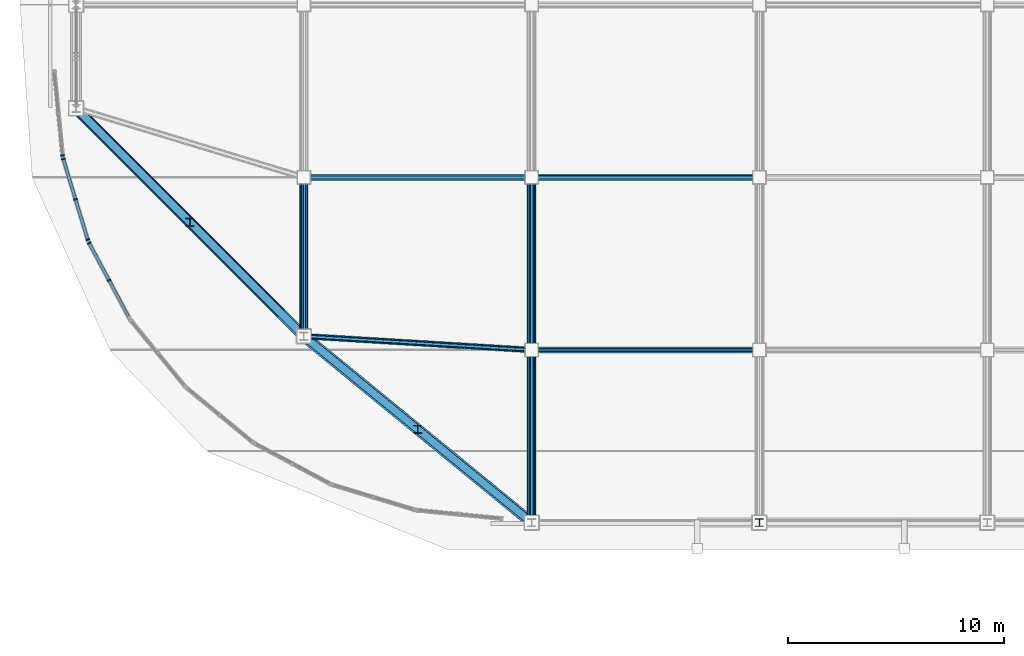
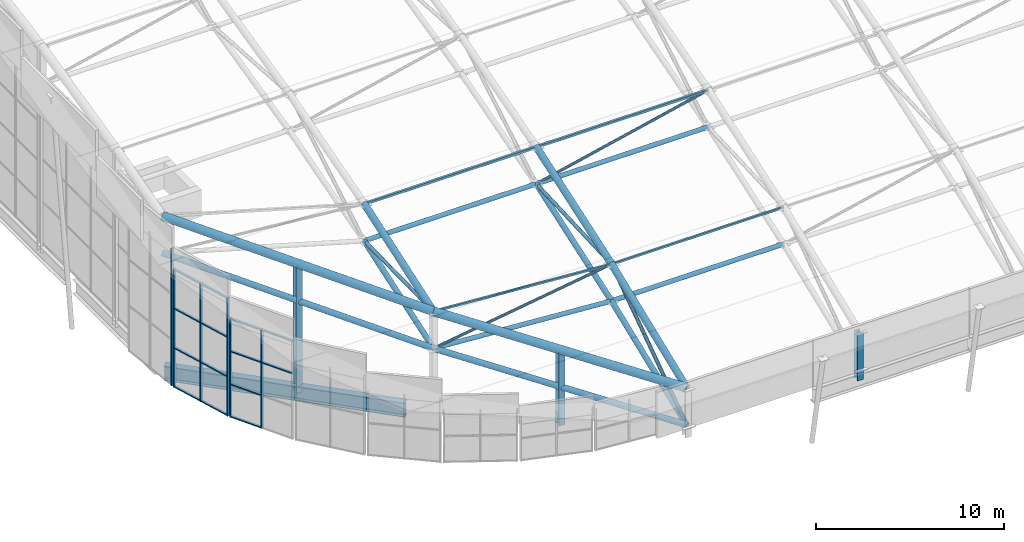
# One storey, part 2 of 42: 46 members, 1 beam, 3 elements without a shape of their own.
"""IFC4 building model written with IfcOpenShell, lengths in metres."""

from ifc_helpers import new_model, si_unit, direction, frame, origin, origin_2d, place, context, subcontext, project, spatial, rectangle, hollow_rectangle, hollow_circle, i_section, extrude, material, layer, layer_set, material_profile, profile_set, type_object, element, aggregate, save


model = new_model("IFC4")

# Units and contexts
model_context = context("Model", 3, precision=1e-05, world=origin(), true_north=direction((0.0, 1.0)))
body_context = subcontext(model_context, "Body", "Model", "MODEL_VIEW")
ifc_project = project(units=[si_unit("LENGTHUNIT", "METRE"), si_unit("AREAUNIT", "SQUARE_METRE"), si_unit("VOLUMEUNIT", "CUBIC_METRE"), si_unit("PLANEANGLEUNIT", "RADIAN"), si_unit("MASSUNIT", "GRAM", prefix="KILO")], contexts=[model_context])

# Site, building, storey
site_placement = place(None, origin())
site = spatial("IfcSite", under=ifc_project, at=site_placement, CompositionType="ELEMENT")
building_placement = place(site_placement, origin())
building = spatial("IfcBuilding", under=site, at=building_placement, Name="Caelomonte Colonnade Arena", CompositionType="ELEMENT")
storey_placement = place(building_placement, frame((0.0, 0.0, 28.199951171875)))
storey = spatial("IfcBuildingStorey", under=building, at=storey_placement, Name="RF", CompositionType="ELEMENT", Elevation=28.199951171875)

# Curtain wall, member
ifc_material_1 = material(Name="Bronze anodised aluminium and low-E glazing", Category="aluminium")
ifc_layer_1 = layer(ifc_material_1, 0.179931640625)
ifc_layer_set_1 = layer_set([ifc_layer_1], Name="Bronze anodised aluminium and low-E glazing")
curtain_wall_type_1 = type_object("IfcCurtainWallType", Name="ENV-CW-CW-TYMPC-01-89", PredefinedType="USERDEFINED", material=ifc_layer_set_1)
curtain_wall_1_placement = place(storey_placement, origin())
curtain_wall_1 = element("IfcCurtainWall", 1, at=curtain_wall_1_placement, inside=storey, type_object=curtain_wall_type_1, Name="Barrel arch rounded corner clerestory curtain wall 25", ObjectType="UNITIZED CURTAIN WALL", PredefinedType="USERDEFINED")
ifc_material_2 = material(Name="Bronze anodised aluminium AA6063-T6", Category="aluminium")
ifc_material_profile_1 = material_profile(ifc_material_2, rectangle(XDim=0.070068359375, YDim=0.179931640625, at=origin_2d()), Name="CWM-70X180")
ifc_profile_set_1 = profile_set([ifc_material_profile_1], Name="Bronze anodised aluminium AA6063-T6")
member_type_1 = type_object("IfcMemberType", Name="ENV-CW-MULL1", PredefinedType="MULLION", material=ifc_profile_set_1)
member_1_placement = place(storey_placement, frame((56.9716796875, 36.222900390625, -0.14990234375), z_axis=(0.0, 0.0, 1.0), x_axis=(0.098031417843, -0.995183320356, 0.0)))
member_1 = element("IfcMember", 2, at=member_1_placement, type_object=member_type_1, Name="CW-TYMPC-01-89 mullion 3", PredefinedType="MULLION", context=body_context, shape_type="SweptSolid", body=[
    extrude(rectangle(XDim=0.070068359375, YDim=0.179931640625, at=origin_2d()), origin(), (0.0, 0.0, 1.0), 8.93017578125),
])
aggregate(curtain_wall_1, [member_1])

# Curtain wall, members
ifc_layer_2 = layer(ifc_material_1, 0.179931640625)
ifc_layer_set_2 = layer_set([ifc_layer_2], Name="Bronze anodised aluminium and low-E glazing")
curtain_wall_type_2 = type_object("IfcCurtainWallType", Name="ENV-CW-CW-TYMPC-02-77", PredefinedType="USERDEFINED", material=ifc_layer_set_2)
curtain_wall_2_placement = place(storey_placement, origin())
curtain_wall_2 = element("IfcCurtainWall", 3, at=curtain_wall_2_placement, inside=storey, type_object=curtain_wall_type_2, Name="Barrel arch rounded corner clerestory curtain wall 26", ObjectType="UNITIZED CURTAIN WALL", PredefinedType="USERDEFINED")
member_2_placement = place(storey_placement, frame((57.004638671875, 36.056884765625, -0.14990234375), z_axis=(0.0, 0.0, 1.0), x_axis=(0.290266004632, -0.956945999811, 0.0)))
member_2 = element("IfcMember", 4, at=member_2_placement, type_object=member_type_1, Name="CW-TYMPC-02-77 mullion 1", PredefinedType="MULLION", context=body_context, shape_type="SweptSolid", body=[
    extrude(rectangle(XDim=0.070068359375, YDim=0.179931640625, at=origin_2d()), origin(), (0.0, 0.0, 1.0), 7.666259765625),
])
member_3_placement = place(storey_placement, frame((57.572509765625, 34.185302734375, -0.14990234375), z_axis=(0.0, 0.0, 1.0), x_axis=(0.290266004632, -0.956945999811, 0.0)))
member_3 = element("IfcMember", 5, at=member_3_placement, type_object=member_type_1, Name="CW-TYMPC-02-77 mullion 2", PredefinedType="MULLION", context=body_context, shape_type="SweptSolid", body=[
    extrude(rectangle(XDim=0.070068359375, YDim=0.179931640625, at=origin_2d()), origin(), (0.0, 0.0, 1.0), 7.666259765625),
])
member_4_placement = place(storey_placement, frame((58.14013671875, 32.313720703125, -0.14990234375), z_axis=(0.0, 0.0, 1.0), x_axis=(0.290266004632, -0.956945999811, 0.0)))
member_4 = element("IfcMember", 6, at=member_4_placement, type_object=member_type_1, Name="CW-TYMPC-02-77 mullion 3", PredefinedType="MULLION", context=body_context, shape_type="SweptSolid", body=[
    extrude(rectangle(XDim=0.070068359375, YDim=0.179931640625, at=origin_2d()), origin(), (0.0, 0.0, 1.0), 7.666259765625),
])

ifc_layer_3 = layer(ifc_material_1, 0.179931640625)
ifc_layer_set_3 = layer_set([ifc_layer_3], Name="Bronze anodised aluminium and low-E glazing")
curtain_wall_type_3 = type_object("IfcCurtainWallType", Name="ENV-CW-CW-TYMPC-03-64", PredefinedType="USERDEFINED", material=ifc_layer_set_3)
curtain_wall_3_placement = place(storey_placement, origin())
curtain_wall_3 = element("IfcCurtainWall", 7, at=curtain_wall_3_placement, inside=storey, type_object=curtain_wall_type_3, Name="Barrel arch rounded corner clerestory curtain wall 27", ObjectType="UNITIZED CURTAIN WALL", PredefinedType="USERDEFINED")
member_5_placement = place(storey_placement, frame((58.204833984375, 32.157470703125, -0.14990234375), z_axis=(0.0, 0.0, 1.0), x_axis=(0.471391087795, -0.881924283795, 0.0)))
member_5 = element("IfcMember", 8, at=member_5_placement, type_object=member_type_1, Name="CW-TYMPC-03-64 mullion 1", PredefinedType="MULLION", context=body_context, shape_type="SweptSolid", body=[
    extrude(rectangle(XDim=0.070068359375, YDim=0.179931640625, at=origin_2d()), origin(), (0.0, 0.0, 1.0), 6.40966796875),
])
member_6_placement = place(storey_placement, frame((59.126708984375, 30.432861328125, -0.14990234375), z_axis=(0.0, 0.0, 1.0), x_axis=(0.471391087795, -0.881924283795, 0.0)))
member_6 = element("IfcMember", 9, at=member_6_placement, type_object=member_type_1, Name="CW-TYMPC-03-64 mullion 2", PredefinedType="MULLION", context=body_context, shape_type="SweptSolid", body=[
    extrude(rectangle(XDim=0.070068359375, YDim=0.179931640625, at=origin_2d()), origin(), (0.0, 0.0, 1.0), 6.40966796875),
])

# Member
ifc_material_profile_2 = material_profile(ifc_material_2, rectangle(XDim=0.070068359375, YDim=0.139892578125, at=origin_2d()), Name="CWT-70X140")
ifc_profile_set_2 = profile_set([ifc_material_profile_2], Name="Bronze anodised aluminium AA6063-T6")
member_type_2 = type_object("IfcMemberType", Name="ENV-CW-TRAN1", PredefinedType="USERDEFINED", material=ifc_profile_set_2)
member_7_placement = place(storey_placement, frame((57.014892578125, 36.0234375, -0.114990234375), z_axis=(0.29024452618, -0.956952514508, 0.0), x_axis=(0.0, 0.0, 1.0)))
member_7 = element("IfcMember", 10, at=member_7_placement, type_object=member_type_2, Name="CW-TYMPC-02-77 transom 1.1", ObjectType="TRANSOM", PredefinedType="USERDEFINED", context=body_context, shape_type="SweptSolid", body=[
    extrude(rectangle(XDim=0.070068359375, YDim=0.139892578125, at=origin_2d()), origin(), (0.0, 0.0, 1.0), 1.885986328125),
])

member_8_placement = place(storey_placement, frame((57.014892578125, 36.0234375, 2.405517578125), z_axis=(0.29024452618, -0.956952514508, 0.0), x_axis=(0.0, 0.0, 1.0)))
member_8 = element("IfcMember", 11, at=member_8_placement, type_object=member_type_2, Name="CW-TYMPC-02-77 transom 1.2", ObjectType="TRANSOM", PredefinedType="USERDEFINED", context=body_context, shape_type="SweptSolid", body=[
    extrude(rectangle(XDim=0.070068359375, YDim=0.139892578125, at=origin_2d()), origin(), (0.0, 0.0, 1.0), 1.885986328125),
])

member_9_placement = place(storey_placement, frame((57.014892578125, 36.0234375, 4.9609375), z_axis=(0.29024452618, -0.956952514508, 0.0), x_axis=(0.0, 0.0, 1.0)))
member_9 = element("IfcMember", 12, at=member_9_placement, type_object=member_type_2, Name="CW-TYMPC-02-77 transom 1.3", ObjectType="TRANSOM", PredefinedType="USERDEFINED", context=body_context, shape_type="SweptSolid", body=[
    extrude(rectangle(XDim=0.070068359375, YDim=0.139892578125, at=origin_2d()), origin(), (0.0, 0.0, 1.0), 1.885986328125),
])

member_10_placement = place(storey_placement, frame((57.014892578125, 36.0234375, 7.481201171875), z_axis=(0.29024452618, -0.956952514508, 0.0), x_axis=(0.0, 0.0, 1.0)))
member_10 = element("IfcMember", 13, at=member_10_placement, type_object=member_type_2, Name="CW-TYMPC-02-77 transom 1.4", ObjectType="TRANSOM", PredefinedType="USERDEFINED", context=body_context, shape_type="SweptSolid", body=[
    extrude(rectangle(XDim=0.070068359375, YDim=0.139892578125, at=origin_2d()), origin(), (0.0, 0.0, 1.0), 1.885986328125),
])

member_11_placement = place(storey_placement, frame((57.58251953125, 34.15185546875, -0.114990234375), z_axis=(0.29024452618, -0.956952514508, 0.0), x_axis=(0.0, 0.0, 1.0)))
member_11 = element("IfcMember", 14, at=member_11_placement, type_object=member_type_2, Name="CW-TYMPC-02-77 transom 2.1", ObjectType="TRANSOM", PredefinedType="USERDEFINED", context=body_context, shape_type="SweptSolid", body=[
    extrude(rectangle(XDim=0.070068359375, YDim=0.139892578125, at=origin_2d()), origin(), (0.0, 0.0, 1.0), 1.885986328125),
])

member_12_placement = place(storey_placement, frame((57.58251953125, 34.15185546875, 2.405517578125), z_axis=(0.29024452618, -0.956952514508, 0.0), x_axis=(0.0, 0.0, 1.0)))
member_12 = element("IfcMember", 15, at=member_12_placement, type_object=member_type_2, Name="CW-TYMPC-02-77 transom 2.2", ObjectType="TRANSOM", PredefinedType="USERDEFINED", context=body_context, shape_type="SweptSolid", body=[
    extrude(rectangle(XDim=0.070068359375, YDim=0.139892578125, at=origin_2d()), origin(), (0.0, 0.0, 1.0), 1.885986328125),
])

member_13_placement = place(storey_placement, frame((57.58251953125, 34.15185546875, 4.9609375), z_axis=(0.29024452618, -0.956952514508, 0.0), x_axis=(0.0, 0.0, 1.0)))
member_13 = element("IfcMember", 16, at=member_13_placement, type_object=member_type_2, Name="CW-TYMPC-02-77 transom 2.3", ObjectType="TRANSOM", PredefinedType="USERDEFINED", context=body_context, shape_type="SweptSolid", body=[
    extrude(rectangle(XDim=0.070068359375, YDim=0.139892578125, at=origin_2d()), origin(), (0.0, 0.0, 1.0), 1.885986328125),
])

member_14_placement = place(storey_placement, frame((57.58251953125, 34.15185546875, 7.481201171875), z_axis=(0.29024452618, -0.956952514508, 0.0), x_axis=(0.0, 0.0, 1.0)))
member_14 = element("IfcMember", 17, at=member_14_placement, type_object=member_type_2, Name="CW-TYMPC-02-77 transom 2.4", ObjectType="TRANSOM", PredefinedType="USERDEFINED", context=body_context, shape_type="SweptSolid", body=[
    extrude(rectangle(XDim=0.070068359375, YDim=0.139892578125, at=origin_2d()), origin(), (0.0, 0.0, 1.0), 1.885986328125),
])

aggregate(curtain_wall_2, [member_2, member_3, member_4, member_7, member_8, member_9, member_10, member_11, member_12, member_13, member_14])

member_15_placement = place(storey_placement, frame((58.221435546875, 32.126708984375, -0.114990234375), z_axis=(0.471387688347, -0.881926100802, 0.0), x_axis=(0.0, 0.0, 1.0)))
member_15 = element("IfcMember", 18, at=member_15_placement, type_object=member_type_2, Name="CW-TYMPC-03-64 transom 1.1", ObjectType="TRANSOM", PredefinedType="USERDEFINED", context=body_context, shape_type="SweptSolid", body=[
    extrude(rectangle(XDim=0.070068359375, YDim=0.139892578125, at=origin_2d()), origin(), (0.0, 0.0, 1.0), 1.8857421875),
])

member_16_placement = place(storey_placement, frame((58.221435546875, 32.126708984375, 1.986572265625), z_axis=(0.471387688347, -0.881926100802, 0.0), x_axis=(0.0, 0.0, 1.0)))
member_16 = element("IfcMember", 19, at=member_16_placement, type_object=member_type_2, Name="CW-TYMPC-03-64 transom 1.2", ObjectType="TRANSOM", PredefinedType="USERDEFINED", context=body_context, shape_type="SweptSolid", body=[
    extrude(rectangle(XDim=0.070068359375, YDim=0.139892578125, at=origin_2d()), origin(), (0.0, 0.0, 1.0), 1.8857421875),
])

member_17_placement = place(storey_placement, frame((58.221435546875, 32.126708984375, 4.123046875), z_axis=(0.471387688347, -0.881926100802, 0.0), x_axis=(0.0, 0.0, 1.0)))
member_17 = element("IfcMember", 20, at=member_17_placement, type_object=member_type_2, Name="CW-TYMPC-03-64 transom 1.3", ObjectType="TRANSOM", PredefinedType="USERDEFINED", context=body_context, shape_type="SweptSolid", body=[
    extrude(rectangle(XDim=0.070068359375, YDim=0.139892578125, at=origin_2d()), origin(), (0.0, 0.0, 1.0), 1.8857421875),
])

member_18_placement = place(storey_placement, frame((58.221435546875, 32.126708984375, 6.224853515625), z_axis=(0.471387688347, -0.881926100802, 0.0), x_axis=(0.0, 0.0, 1.0)))
member_18 = element("IfcMember", 21, at=member_18_placement, type_object=member_type_2, Name="CW-TYMPC-03-64 transom 1.4", ObjectType="TRANSOM", PredefinedType="USERDEFINED", context=body_context, shape_type="SweptSolid", body=[
    extrude(rectangle(XDim=0.070068359375, YDim=0.139892578125, at=origin_2d()), origin(), (0.0, 0.0, 1.0), 1.8857421875),
])

member_19_placement = place(storey_placement, frame((59.143310546875, 30.40185546875, 4.123046875), z_axis=(0.471387688347, -0.881926100802, 0.0), x_axis=(0.0, 0.0, 1.0)))
member_19 = element("IfcMember", 22, at=member_19_placement, type_object=member_type_2, Name="CW-TYMPC-03-64 transom 2.3", ObjectType="TRANSOM", PredefinedType="USERDEFINED", context=body_context, shape_type="SweptSolid", body=[
    extrude(rectangle(XDim=0.070068359375, YDim=0.139892578125, at=origin_2d()), origin(), (0.0, 0.0, 1.0), 1.8857421875),
])

member_20_placement = place(storey_placement, frame((59.143310546875, 30.40185546875, 6.224853515625), z_axis=(0.471387688347, -0.881926100802, 0.0), x_axis=(0.0, 0.0, 1.0)))
member_20 = element("IfcMember", 23, at=member_20_placement, type_object=member_type_2, Name="CW-TYMPC-03-64 transom 2.4", ObjectType="TRANSOM", PredefinedType="USERDEFINED", context=body_context, shape_type="SweptSolid", body=[
    extrude(rectangle(XDim=0.070068359375, YDim=0.139892578125, at=origin_2d()), origin(), (0.0, 0.0, 1.0), 1.8857421875),
])

aggregate(curtain_wall_3, [member_5, member_6, member_15, member_16, member_17, member_18, member_19, member_20])

# Beam
ifc_material_3 = material(Name="Wide-flange steel ASTM A992 Grade 50", Category="steel")
ifc_material_profile_3 = material_profile(ifc_material_3, i_section(OverallWidth=0.418212890625, OverallDepth=0.927001953125, WebThickness=0.019287109375, FlangeThickness=0.031982421875, FilletRadius=0.024169921875, at=origin_2d()), Name="W36X231")
ifc_profile_set_3 = profile_set([ifc_material_profile_3], Name="Wide-flange steel ASTM A992 Grade 50")
beam_type = type_object("IfcBeamType", Name="STR-BM-EAVES1", PredefinedType="SPANDREL", material=ifc_profile_set_3)
beam_placement = place(storey_placement, frame((57.7021484375, 38.2978515625, -0.743408203125), z_axis=(0.707106781187, -0.707106781187, 0.0), x_axis=(0.707106781187, 0.707106781187, 0.0)))
element("IfcBeam", 24, at=beam_placement, inside=storey, type_object=beam_type, Name="RF drum corner ring girder 1", PredefinedType="SPANDREL", context=body_context, shape_type="SweptSolid", body=[
    extrude(i_section(OverallWidth=0.418212890625, OverallDepth=0.927001953125, WebThickness=0.019287109375, FlangeThickness=0.031982421875, FilletRadius=0.024169921875, at=origin_2d()), origin(), (0.0, 0.0, 1.0), 13.28759765625),
])

# Members
ifc_material_profile_4 = material_profile(ifc_material_3, i_section(OverallWidth=0.368896484375, OverallDepth=0.356201171875, WebThickness=0.01123046875, FlangeThickness=0.01806640625, FilletRadius=0.01513671875, at=origin_2d()), Name="W14X90")
ifc_profile_set_4 = profile_set([ifc_material_profile_4], Name="Wide-flange steel ASTM A992 Grade 50")
member_type_3 = type_object("IfcMemberType", Name="STR-CAT-STR", PredefinedType="STRUT", material=ifc_profile_set_4)
member_21_placement = place(storey_placement, frame((89.280029296875, 19.199951171875, -0.699951171875), z_axis=(0.0, 0.0, 1.0), x_axis=(1.0, 0.0, 0.0)))
element("IfcMember", 25, at=member_21_placement, inside=storey, type_object=member_type_3, Name="Roof truss eaves bearing post 3-0", PredefinedType="STRUT", context=body_context, shape_type="SweptSolid", body=[
    extrude(i_section(OverallWidth=0.368896484375, OverallDepth=0.356201171875, WebThickness=0.01123046875, FlangeThickness=0.01806640625, FilletRadius=0.01513671875, at=origin_2d()), origin(), (0.0, 0.0, 1.0), 3.10009765625),
])
member_22_placement = place(storey_placement, frame((62.8798828125, 33.1201171875, -0.699951171875), z_axis=(0.0, 0.0, 1.0), x_axis=(1.0, 0.0, 0.0)))
element("IfcMember", 26, at=member_22_placement, inside=storey, type_object=member_type_3, Name="Rounded corner roof Vierendeel post SW-1", PredefinedType="STRUT", context=body_context, shape_type="SweptSolid", body=[
    extrude(i_section(OverallWidth=0.368896484375, OverallDepth=0.356201171875, WebThickness=0.01123046875, FlangeThickness=0.01806640625, FilletRadius=0.01513671875, at=origin_2d()), origin(), (0.0, 0.0, 1.0), 8.26806640625),
])
member_23_placement = place(storey_placement, frame((73.43994140625, 23.52001953125, -0.699951171875), z_axis=(0.0, 0.0, 1.0), x_axis=(1.0, 0.0, 0.0)))
element("IfcMember", 27, at=member_23_placement, inside=storey, type_object=member_type_3, Name="Rounded corner roof Vierendeel post SW-2", PredefinedType="STRUT", context=body_context, shape_type="SweptSolid", body=[
    extrude(i_section(OverallWidth=0.368896484375, OverallDepth=0.356201171875, WebThickness=0.01123046875, FlangeThickness=0.01806640625, FilletRadius=0.01513671875, at=origin_2d()), origin(), (0.0, 0.0, 1.0), 4.810546875),
])
ifc_material_4 = material(Name="Steel ASTM A500 Grade C", Category="steel")
ifc_material_profile_5 = material_profile(ifc_material_4, hollow_circle(Radius=0.177734375, WallThickness=0.0126953125, at=origin_2d()), Name="CHS355.6X12.7")
ifc_profile_set_5 = profile_set([ifc_material_profile_5], Name="Steel ASTM A500 Grade C")
member_type_4 = type_object("IfcMemberType", Name="STR-SF-BC1", PredefinedType="CHORD", material=ifc_profile_set_5)
member_24_placement = place(storey_placement, frame((57.601318359375, 38.398681640625, 6.91455078125), z_axis=(0.688516085882, -0.688516085882, -0.227796398046), x_axis=(0.707106781187, 0.707106781187, 0.0)))
element("IfcMember", 28, at=member_24_placement, inside=storey, type_object=member_type_4, Name="Rounded corner roof bottom chord SW-1", PredefinedType="CHORD", context=body_context, shape_type="SweptSolid", body=[
    extrude(hollow_circle(Radius=0.177734375, WallThickness=0.0126953125, at=origin_2d()), origin(), (0.0, 0.0, 1.0), 15.33349609375),
])
member_25_placement = place(storey_placement, frame((68.16162109375, 27.8388671875, 3.420654296875), z_axis=(0.750709479278, -0.614234207739, -0.2432110519), x_axis=(0.633248511568, 0.773948527098, 0.0)))
element("IfcMember", 29, at=member_25_placement, inside=storey, type_object=member_type_4, Name="Rounded corner roof bottom chord SW-2", PredefinedType="CHORD", context=body_context, shape_type="SweptSolid", body=[
    extrude(hollow_circle(Radius=0.177734375, WallThickness=0.0126953125, at=origin_2d()), origin(), (0.0, 0.0, 1.0), 14.0625),
])
ifc_material_profile_6 = material_profile(ifc_material_4, hollow_circle(Radius=0.161865234375, WallThickness=0.010009765625, at=origin_2d()), Name="CHS323.9X10.0")
ifc_profile_set_6 = profile_set([ifc_material_profile_6], Name="Steel ASTM A500 Grade C")
member_type_5 = type_object("IfcMemberType", Name="STR-SF-BC2", PredefinedType="CHORD", material=ifc_profile_set_6)
member_26_placement = place(storey_placement, frame((68.159912109375, 27.841796875, 3.421630859375), z_axis=(0.0, 0.946269481758, 0.323379139546), x_axis=(-1.0, 0.0, 0.0)))
element("IfcMember", 30, at=member_26_placement, inside=storey, type_object=member_type_5, Name="Arched roof truss bottom chord 1-1", PredefinedType="CHORD", context=body_context, shape_type="SweptSolid", body=[
    extrude(hollow_circle(Radius=0.161865234375, WallThickness=0.010009765625, at=origin_2d()), origin(), (0.0, 0.0, 1.0), 7.77392578125),
])
member_27_placement = place(storey_placement, frame((78.719970703125, 19.201904296875, 0.000732421875), z_axis=(0.0, 0.929070225575, 0.36990338732), x_axis=(-1.0, 0.0, 0.0)))
element("IfcMember", 31, at=member_27_placement, inside=storey, type_object=member_type_5, Name="Arched roof truss bottom chord 2-0", PredefinedType="CHORD", context=body_context, shape_type="SweptSolid", body=[
    extrude(hollow_circle(Radius=0.161865234375, WallThickness=0.010009765625, at=origin_2d()), origin(), (0.0, 0.0, 1.0), 8.6064453125),
])
member_28_placement = place(storey_placement, frame((78.719970703125, 27.201904296875, 3.185791015625), z_axis=(0.0, 0.945655527912, 0.325170143971), x_axis=(-1.0, 0.0, 0.0)))
element("IfcMember", 32, at=member_28_placement, inside=storey, type_object=member_type_5, Name="Arched roof truss bottom chord 2-1", PredefinedType="CHORD", context=body_context, shape_type="SweptSolid", body=[
    extrude(hollow_circle(Radius=0.161865234375, WallThickness=0.010009765625, at=origin_2d()), origin(), (0.0, 0.0, 1.0), 8.45556640625),
])
ifc_material_profile_7 = material_profile(ifc_material_4, hollow_rectangle(XDim=0.15234375, YDim=0.15234375, WallThickness=0.008056640625, InnerFilletRadius=0.008056640625, OuterFilletRadius=0.01611328125, at=origin_2d()), Name="HSS152X152X8.0")
ifc_profile_set_7 = profile_set([ifc_material_profile_7], Name="Steel ASTM A500 Grade C")
member_type_6 = type_object("IfcMemberType", Name="STR-SF-PUR2", PredefinedType="PURLIN", material=ifc_profile_set_7)
member_29_placement = place(storey_placement, frame((68.162109375, 35.199951171875, 8.3359375), z_axis=(1.0, 0.0, 0.0), x_axis=(0.0, 1.0, 0.0)))
element("IfcMember", 33, at=member_29_placement, inside=storey, type_object=member_type_6, Name="Arched roof purlin 1-2", PredefinedType="PURLIN", context=body_context, shape_type="SweptSolid", body=[
    extrude(hollow_rectangle(XDim=0.15234375, YDim=0.15234375, WallThickness=0.008056640625, InnerFilletRadius=0.008056640625, OuterFilletRadius=0.01611328125, at=origin_2d()), origin(), (0.0, 0.0, 1.0), 10.555908203125),
])
member_30_placement = place(storey_placement, frame((78.721923828125, 35.199951171875, 8.3359375), z_axis=(1.0, 0.0, 0.0), x_axis=(0.0, 1.0, 0.0)))
element("IfcMember", 34, at=member_30_placement, inside=storey, type_object=member_type_6, Name="Arched roof purlin 2-2", PredefinedType="PURLIN", context=body_context, shape_type="SweptSolid", body=[
    extrude(hollow_rectangle(XDim=0.15234375, YDim=0.15234375, WallThickness=0.008056640625, InnerFilletRadius=0.008056640625, OuterFilletRadius=0.01611328125, at=origin_2d()), origin(), (0.0, 0.0, 1.0), 10.55615234375),
])
ifc_material_profile_8 = material_profile(ifc_material_4, hollow_rectangle(XDim=0.126953125, YDim=0.126953125, WallThickness=0.00634765625, InnerFilletRadius=0.00634765625, OuterFilletRadius=0.0126953125, at=origin_2d()), Name="HSS127X127X6.4")
ifc_profile_set_8 = profile_set([ifc_material_profile_8], Name="Steel ASTM A500 Grade C")
member_type_7 = type_object("IfcMemberType", Name="STR-SF-PUR3", PredefinedType="PURLIN", material=ifc_profile_set_8)
member_31_placement = place(storey_placement, frame((68.162109375, 27.83984375, 5.821044921875), z_axis=(0.997920453196, -0.060470235848, -0.022318594681), x_axis=(0.060485302184, 0.99816908799, 0.0)))
element("IfcMember", 35, at=member_31_placement, inside=storey, type_object=member_type_7, Name="Arched roof purlin 1-1", PredefinedType="PURLIN", context=body_context, shape_type="SweptSolid", body=[
    extrude(hollow_rectangle(XDim=0.126953125, YDim=0.126953125, WallThickness=0.00634765625, InnerFilletRadius=0.00634765625, OuterFilletRadius=0.0126953125, at=origin_2d()), origin(), (0.0, 0.0, 1.0), 10.577880859375),
])
member_32_placement = place(storey_placement, frame((78.721923828125, 27.199951171875, 5.5849609375), z_axis=(1.0, 0.0, 0.0), x_axis=(0.0, 1.0, 0.0)))
element("IfcMember", 36, at=member_32_placement, inside=storey, type_object=member_type_7, Name="Arched roof purlin 2-1", PredefinedType="PURLIN", context=body_context, shape_type="SweptSolid", body=[
    extrude(hollow_rectangle(XDim=0.126953125, YDim=0.126953125, WallThickness=0.00634765625, InnerFilletRadius=0.00634765625, OuterFilletRadius=0.0126953125, at=origin_2d()), origin(), (0.0, 0.0, 1.0), 10.55615234375),
])
ifc_material_profile_9 = material_profile(ifc_material_4, hollow_circle(Radius=0.25390625, WallThickness=0.015869140625, at=origin_2d()), Name="CHS508X15.9")
ifc_profile_set_9 = profile_set([ifc_material_profile_9], Name="Steel ASTM A500 Grade C")
member_type_8 = type_object("IfcMemberType", Name="STR-SF-TC1", PredefinedType="CHORD", material=ifc_profile_set_9)
member_33_placement = place(storey_placement, frame((57.601318359375, 38.398681640625, 9.314453125), z_axis=(0.688516085882, -0.688516085882, -0.227796398046), x_axis=(0.707106781187, 0.707106781187, 0.0)))
element("IfcMember", 37, at=member_33_placement, inside=storey, type_object=member_type_8, Name="Rounded corner roof top chord SW-1", PredefinedType="CHORD", context=body_context, shape_type="SweptSolid", body=[
    extrude(hollow_circle(Radius=0.25390625, WallThickness=0.015869140625, at=origin_2d()), origin(), (0.0, 0.0, 1.0), 15.33349609375),
])
member_34_placement = place(storey_placement, frame((68.16162109375, 27.8388671875, 5.820556640625), z_axis=(0.750712648981, -0.614236801206, -0.243194717674), x_axis=(0.633248511568, 0.773948527098, 0.0)))
element("IfcMember", 38, at=member_34_placement, inside=storey, type_object=member_type_8, Name="Rounded corner roof top chord SW-2", PredefinedType="CHORD", context=body_context, shape_type="SweptSolid", body=[
    extrude(hollow_circle(Radius=0.25390625, WallThickness=0.015869140625, at=origin_2d()), origin(), (0.0, 0.0, 1.0), 14.0625),
])
ifc_material_profile_10 = material_profile(ifc_material_4, hollow_circle(Radius=0.203125, WallThickness=0.0126953125, at=origin_2d()), Name="CHS406.4X12.7")
ifc_profile_set_10 = profile_set([ifc_material_profile_10], Name="Steel ASTM A500 Grade C")
member_type_9 = type_object("IfcMemberType", Name="STR-SF-TC2", PredefinedType="CHORD", material=ifc_profile_set_10)
member_35_placement = place(storey_placement, frame((68.159912109375, 27.841796875, 5.82177734375), z_axis=(0.0, 0.946279091542, 0.323351018105), x_axis=(-1.0, 0.0, 0.0)))
element("IfcMember", 39, at=member_35_placement, inside=storey, type_object=member_type_9, Name="Arched roof truss top chord 1-1", PredefinedType="CHORD", context=body_context, shape_type="SweptSolid", body=[
    extrude(hollow_circle(Radius=0.203125, WallThickness=0.0126953125, at=origin_2d()), origin(), (0.0, 0.0, 1.0), 7.77392578125),
])
member_36_placement = place(storey_placement, frame((78.719970703125, 19.201904296875, 2.400634765625), z_axis=(0.0, 0.929070225575, 0.36990338732), x_axis=(-1.0, 0.0, 0.0)))
element("IfcMember", 40, at=member_36_placement, inside=storey, type_object=member_type_9, Name="Arched roof truss top chord 2-0", PredefinedType="CHORD", context=body_context, shape_type="SweptSolid", body=[
    extrude(hollow_circle(Radius=0.203125, WallThickness=0.0126953125, at=origin_2d()), origin(), (0.0, 0.0, 1.0), 8.6064453125),
])
member_37_placement = place(storey_placement, frame((78.719970703125, 27.201904296875, 5.585693359375), z_axis=(0.0, 0.945646649159, 0.325195963895), x_axis=(-1.0, 0.0, 0.0)))
element("IfcMember", 41, at=member_37_placement, inside=storey, type_object=member_type_9, Name="Arched roof truss top chord 2-1", PredefinedType="CHORD", context=body_context, shape_type="SweptSolid", body=[
    extrude(hollow_circle(Radius=0.203125, WallThickness=0.0126953125, at=origin_2d()), origin(), (0.0, 0.0, 1.0), 8.455810546875),
])
ifc_material_profile_11 = material_profile(ifc_material_4, hollow_circle(Radius=0.136474609375, WallThickness=0.00927734375, at=origin_2d()), Name="CHS273.0X9.3")
ifc_profile_set_11 = profile_set([ifc_material_profile_11], Name="Steel ASTM A500 Grade C")
member_type_10 = type_object("IfcMemberType", Name="STR-SF-TIE", PredefinedType="STRUT", material=ifc_profile_set_11)
member_38_placement = place(storey_placement, frame((68.162109375, 27.83984375, 3.421142578125), z_axis=(0.997920453196, -0.060470235848, -0.022318594681), x_axis=(0.060485302184, 0.99816908799, 0.0)))
element("IfcMember", 42, at=member_38_placement, inside=storey, type_object=member_type_10, Name="Space frame roof tie strut 1-1", PredefinedType="STRUT", context=body_context, shape_type="SweptSolid", body=[
    extrude(hollow_circle(Radius=0.136474609375, WallThickness=0.00927734375, at=origin_2d()), origin(), (0.0, 0.0, 1.0), 10.577880859375),
])
member_39_placement = place(storey_placement, frame((68.162109375, 35.199951171875, 5.93603515625), z_axis=(1.0, 0.0, 0.0), x_axis=(0.0, 1.0, 0.0)))
element("IfcMember", 43, at=member_39_placement, inside=storey, type_object=member_type_10, Name="Space frame roof tie strut 1-2", PredefinedType="STRUT", context=body_context, shape_type="SweptSolid", body=[
    extrude(hollow_circle(Radius=0.136474609375, WallThickness=0.00927734375, at=origin_2d()), origin(), (0.0, 0.0, 1.0), 10.555908203125),
])
for number, where, z_axis, x_axis, name in (
    (44, (78.721923828125, 27.199951171875, 3.18505859375), (1.0, 0.0, 0.0), (0.0, 1.0, 0.0), "Space frame roof tie strut 2-1"),
    (45, (78.721923828125, 35.199951171875, 5.93603515625), (1.0, 0.0, 0.0), (0.0, 1.0, 0.0), "Space frame roof tie strut 2-2"),
):
    element("IfcMember", number, at=place(storey_placement, frame(where, z_axis=z_axis, x_axis=x_axis)), inside=storey, type_object=member_type_10, Name=name, PredefinedType="STRUT", context=body_context, shape_type="SweptSolid", body=[
        extrude(hollow_circle(Radius=0.136474609375, WallThickness=0.00927734375, at=origin_2d()), origin(), (0.0, 0.0, 1.0), 10.55615234375),
    ])
ifc_material_profile_12 = material_profile(ifc_material_4, hollow_circle(Radius=0.109619140625, WallThickness=0.00830078125, at=origin_2d()), Name="CHS219.1X8.2")
ifc_profile_set_12 = profile_set([ifc_material_profile_12], Name="Steel ASTM A500 Grade C")
member_type_11 = type_object("IfcMemberType", Name="STR-SF-WEB1", PredefinedType="BRACE", material=ifc_profile_set_12)
member_40_placement = place(storey_placement, frame((68.159912109375, 27.842041015625, 5.821044921875), z_axis=(0.0, 0.999877838609, 0.015630350547), x_axis=(-1.0, 0.0, 0.0)))
element("IfcMember", 46, at=member_40_placement, inside=storey, type_object=member_type_11, Name="Space frame roof truss web diagonal 1-1", PredefinedType="BRACE", context=body_context, shape_type="SweptSolid", body=[
    extrude(hollow_circle(Radius=0.109619140625, WallThickness=0.00830078125, at=origin_2d()), origin(), (0.0, 0.0, 1.0), 7.35693359375),
])
member_41_placement = place(storey_placement, frame((78.719970703125, 19.20166015625, 0.001220703125), z_axis=(0.0, 0.819954536619, 0.572428648722), x_axis=(-1.0, 0.0, 0.0)))
element("IfcMember", 47, at=member_41_placement, inside=storey, type_object=member_type_11, Name="Space frame roof truss web diagonal 2-0", PredefinedType="BRACE", context=body_context, shape_type="SweptSolid", body=[
    extrude(hollow_circle(Radius=0.109619140625, WallThickness=0.00830078125, at=origin_2d()), origin(), (0.0, 0.0, 1.0), 9.752685546875),
])
member_42_placement = place(storey_placement, frame((78.719970703125, 27.201904296875, 5.585205078125), z_axis=(0.0, 0.999038871579, 0.043833013509), x_axis=(-1.0, 0.0, 0.0)))
element("IfcMember", 48, at=member_42_placement, inside=storey, type_object=member_type_11, Name="Space frame roof truss web diagonal 2-1", PredefinedType="BRACE", context=body_context, shape_type="SweptSolid", body=[
    extrude(hollow_circle(Radius=0.109619140625, WallThickness=0.00830078125, at=origin_2d()), origin(), (0.0, 0.0, 1.0), 8.00390625),
])
ifc_material_profile_13 = material_profile(ifc_material_4, hollow_circle(Radius=0.084228515625, WallThickness=0.007080078125, at=origin_2d()), Name="CHS168.3X7.1")
ifc_profile_set_13 = profile_set([ifc_material_profile_13], Name="Steel ASTM A500 Grade C")
member_type_12 = type_object("IfcMemberType", Name="STR-SF-WEB2", PredefinedType="BRACE", material=ifc_profile_set_13)
member_43_placement = place(storey_placement, frame((68.162109375, 27.83984375, 3.421630859375), z_axis=(0.977921842949, -0.05925839509, 0.200392893321), x_axis=(0.060485302184, 0.99816908799, 0.0)))
element("IfcMember", 49, at=member_43_placement, inside=storey, type_object=member_type_12, Name="Space frame transverse diagonal 1-1", PredefinedType="BRACE", context=body_context, shape_type="SweptSolid", body=[
    extrude(hollow_circle(Radius=0.084228515625, WallThickness=0.007080078125, at=origin_2d()), origin(), (0.0, 0.0, 1.0), 10.794189453125),
])
member_44_placement = place(storey_placement, frame((78.721923828125, 35.199951171875, 5.9365234375), z_axis=(0.975131969628, 0.0, 0.221625002672), x_axis=(0.0, 1.0, 0.0)))
element("IfcMember", 50, at=member_44_placement, inside=storey, type_object=member_type_12, Name="Space frame transverse diagonal 2-2", PredefinedType="BRACE", context=body_context, shape_type="SweptSolid", body=[
    extrude(hollow_circle(Radius=0.084228515625, WallThickness=0.007080078125, at=origin_2d()), origin(), (0.0, 0.0, 1.0), 10.825439453125),
])

save(model, "model.ifc")
